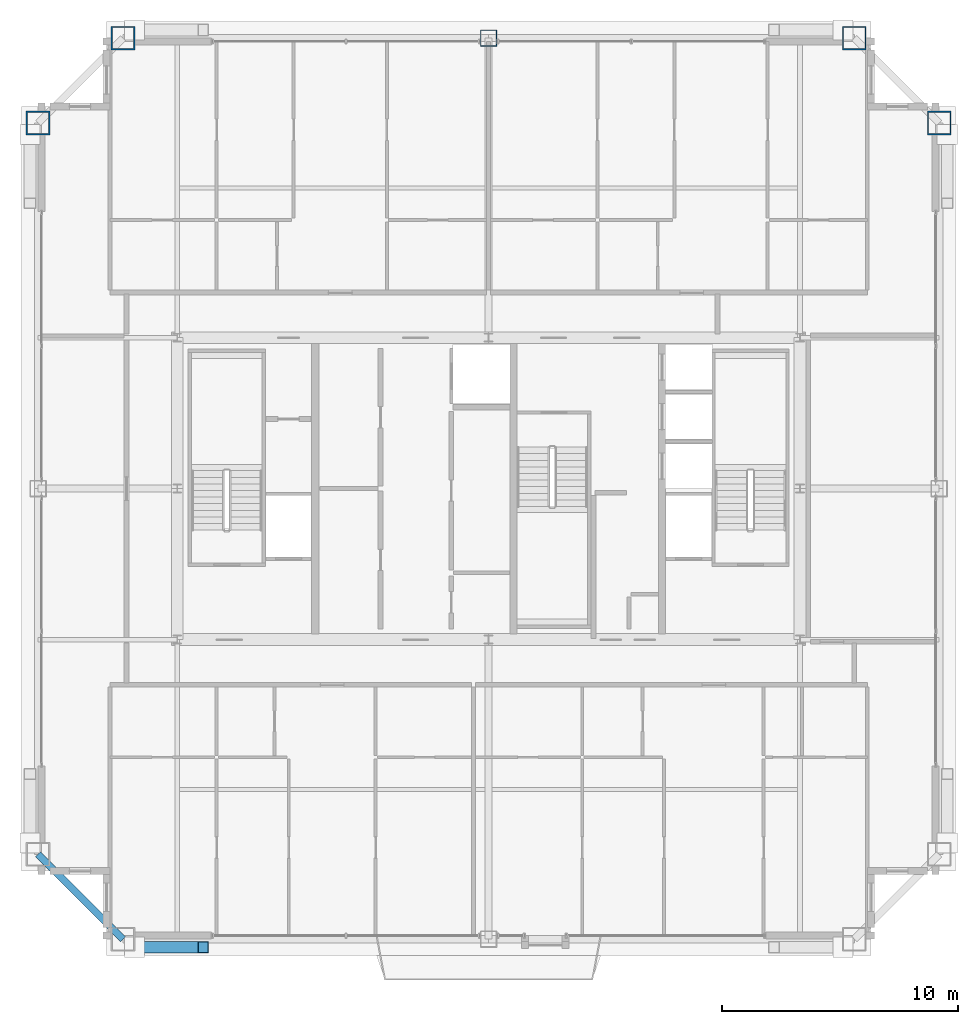
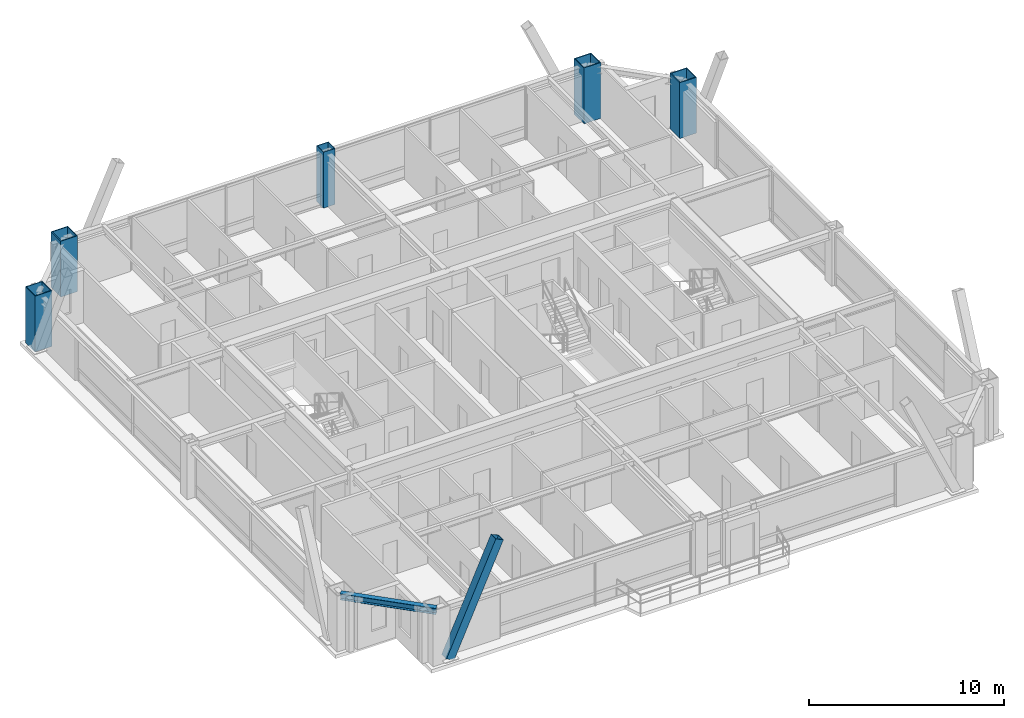
# One storey, part 3 of 35: 5 columns, 1 beam, 1 member.
"""IFC4 building model written with IfcOpenShell, lengths in metres."""

from ifc_helpers import new_model, si_unit, direction, frame, origin, origin_2d, place, context, subcontext, project, spatial, hollow_rectangle, i_section, extrude, source, transform, mapped, material, material_profile, profile_set, type_object, element, save


model = new_model("IFC4")

# Units and contexts
model_context = context("Model", 3, precision=1e-05, world=origin(), true_north=direction((0.0, 1.0)))
body_context = subcontext(model_context, "Body", "Model", "MODEL_VIEW")
ifc_project = project(units=[si_unit("LENGTHUNIT", "METRE"), si_unit("AREAUNIT", "SQUARE_METRE"), si_unit("VOLUMEUNIT", "CUBIC_METRE"), si_unit("PLANEANGLEUNIT", "RADIAN"), si_unit("MASSUNIT", "GRAM", prefix="KILO"), si_unit("THERMODYNAMICTEMPERATUREUNIT", "KELVIN"), si_unit("POWERUNIT", "WATT")], contexts=[model_context])

# Site, building, storey
site_placement = place(None, origin())
site = spatial("IfcSite", under=ifc_project, at=site_placement, CompositionType="ELEMENT")
building_placement = place(site_placement, origin())
building = spatial("IfcBuilding", under=site, at=building_placement, Name="Yuzanri Waterfront Tower", CompositionType="ELEMENT")
storey_placement = place(building_placement, frame((0.0, 0.0, 299.60009765625)))
storey = spatial("IfcBuildingStorey", under=building, at=storey_placement, Name="L80", CompositionType="ELEMENT", Elevation=299.60009765625)

# Columns
ifc_material_1 = material(Name="Steel Q355B", Category="steel")
ifc_material_profile_1 = material_profile(ifc_material_1, hollow_rectangle(XDim=0.699951171875, YDim=0.699951171875, WallThickness=0.031982421875, at=origin_2d()), Name="RHS 700x700x32")
ifc_profile_set_1 = profile_set([ifc_material_profile_1], Name="Steel Q355B")
column_type_1 = type_object("IfcColumnType", Name="Frame Column Q355B RHS 700x700x32", PredefinedType="COLUMN", material=ifc_profile_set_1)
shared_shape_1 = source(origin(), body_context, "Body", "SweptSolid", [
    extrude(hollow_rectangle(XDim=0.699951171875, YDim=0.699951171875, WallThickness=0.031982421875, at=origin_2d()), origin(), (0.0, 0.0, 1.0), 3.5),
])
column_placement = place(storey_placement, frame((37.0, 44.89990234375, 0.0), z_axis=(0.0, 0.0, 1.0), x_axis=(1.0, 0.0, 0.0)))
element("IfcColumn", 1, at=column_placement, inside=storey, type_object=column_type_1, Name="L80 Perimeter Frame Column N2", PredefinedType="COLUMN", context=body_context, shape_type="MappedRepresentation", body=[
    mapped(shared_shape_1, transform((0.0, 0.0, 0.0), scale=1.0)),
])
ifc_material_2 = material(Name="Steel Q390GJC", Category="steel")
ifc_material_profile_2 = material_profile(ifc_material_2, hollow_rectangle(XDim=1.0, YDim=1.0, WallThickness=0.048095703125, at=origin_2d()), Name="RHS 1000x1000x48")
ifc_profile_set_2 = profile_set([ifc_material_profile_2], Name="Steel Q390GJC")
column_type_2 = type_object("IfcColumnType", Name="Mega Column Q390GJC RHS 1000x1000x48", PredefinedType="COLUMN", material=ifc_profile_set_2)
shared_shape_2 = source(origin(), body_context, "Body", "SweptSolid", [
    extrude(hollow_rectangle(XDim=1.0, YDim=1.0, WallThickness=0.048095703125, at=origin_2d()), origin(), (0.0, 0.0, 1.0), 3.5),
])
for number, where, z_axis, x_axis, name in (
    (2, (21.5, 44.89990234375, 0.0), (0.0, 0.0, 1.0), (1.0, 0.0, 0.0), "L80 Perimeter Mega Column N1"),
    (3, (52.5, 44.89990234375, 0.0), (0.0, 0.0, 1.0), (1.0, 0.0, 0.0), "L80 Perimeter Mega Column N3"),
    (4, (17.89990234375, 41.300048828125, 0.0), (0.0, 0.0, 1.0), (1.0, 0.0, 0.0), "L80 Perimeter Mega Column W3"),
    (5, (56.10009765625, 41.300048828125, 0.0), (0.0, 0.0, 1.0), (1.0, 0.0, 0.0), "L80 Perimeter Mega Column E3"),
):
    element("IfcColumn", number, at=place(storey_placement, frame(where, z_axis=z_axis, x_axis=x_axis)), inside=storey, type_object=column_type_2, Name=name, PredefinedType="COLUMN", context=body_context, shape_type="MappedRepresentation", body=[
        mapped(shared_shape_2, transform((0.0, 0.0, 0.0), scale=1.0)),
    ])

# Beam
ifc_material_3 = material(Name="Steel Q355B", Category="steel")
ifc_material_profile_3 = material_profile(ifc_material_3, i_section(OverallWidth=0.300048828125, OverallDepth=0.389892578125, WebThickness=0.010009765625, FlangeThickness=0.01611328125, at=origin_2d()), Name="HM 390x300x10x16")
ifc_profile_set_3 = profile_set([ifc_material_profile_3], Name="Steel Q355B")
beam_type = type_object("IfcBeamType", Name="Perimeter Spandrel Q355B HM 390x300", PredefinedType="SPANDREL", material=ifc_profile_set_3)
shared_shape_3 = source(origin(), body_context, "Body", "SweptSolid", [
    extrude(i_section(OverallWidth=0.300048828125, OverallDepth=0.389892578125, WebThickness=0.010009765625, FlangeThickness=0.01611328125, at=origin_2d()), origin(), (0.0, 0.0, 1.0), 5.09130859375),
])
beam_placement = place(storey_placement, frame((17.89990234375, 10.300048828125, 3.0849609375), z_axis=(0.707106781187, -0.707106781187, 0.0), x_axis=(0.707106781187, 0.707106781187, 0.0)))
element("IfcBeam", 6, at=beam_placement, inside=storey, type_object=beam_type, Name="L80 Perimeter Spandrel W1-S1", PredefinedType="SPANDREL", context=body_context, shape_type="MappedRepresentation", body=[
    mapped(shared_shape_3, transform((0.0, 0.0, 0.0), scale=1.0)),
])

# Member
ifc_material_4 = material(Name="Steel Q390GJC", Category="steel")
ifc_material_profile_4 = material_profile(ifc_material_4, hollow_rectangle(XDim=0.5, YDim=0.5, WallThickness=0.02197265625, at=origin_2d()), Name="RHS 500x500x22")
ifc_profile_set_4 = profile_set([ifc_material_profile_4], Name="Steel Q390GJC")
member_type = type_object("IfcMemberType", Name="Mega Brace Upper Q390GJC RHS 500x500x22", PredefinedType="BRACE", material=ifc_profile_set_4)
shared_shape_4 = source(origin(), body_context, "Body", "SweptSolid", [
    extrude(hollow_rectangle(XDim=0.5, YDim=0.5, WallThickness=0.02197265625, at=origin_2d()), origin(), (0.0, 0.0, 1.0), 7.125732421875),
])
member_placement = place(storey_placement, frame((21.97998046875, 6.360107421875, 0.179931640625), z_axis=(0.409771952938, 0.0, 0.912187999584), x_axis=(0.0, 1.0, 0.0)))
element("IfcMember", 7, at=member_placement, inside=storey, type_object=member_type, Name="L80-L81 Perimeter Mega-Brace S-L", PredefinedType="BRACE", context=body_context, shape_type="MappedRepresentation", body=[
    mapped(shared_shape_4, transform((0.0, 0.0, 0.0), scale=1.0)),
])

save(model, "model.ifc")
